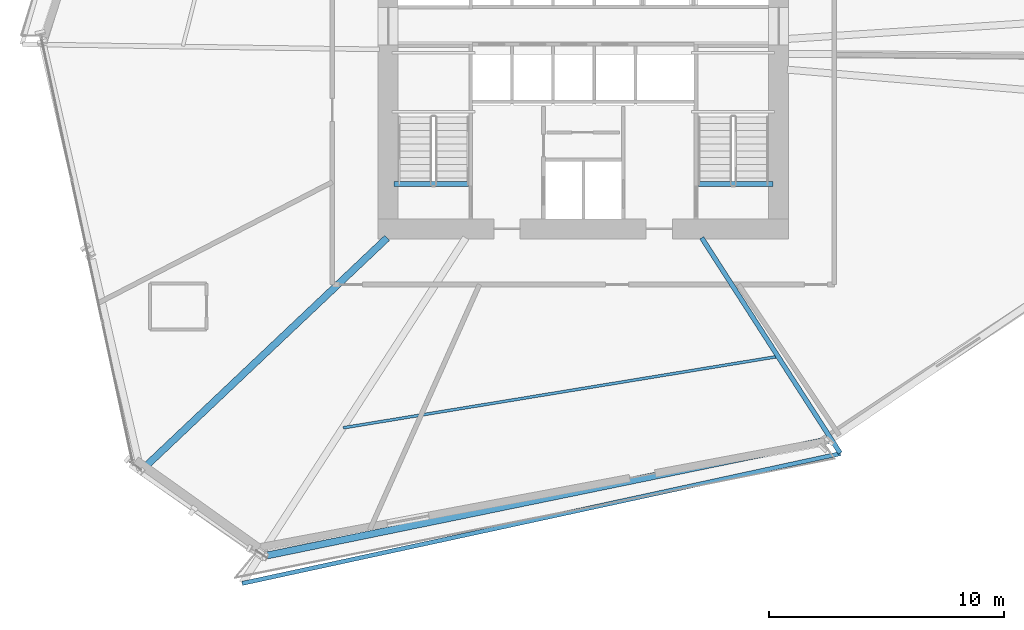
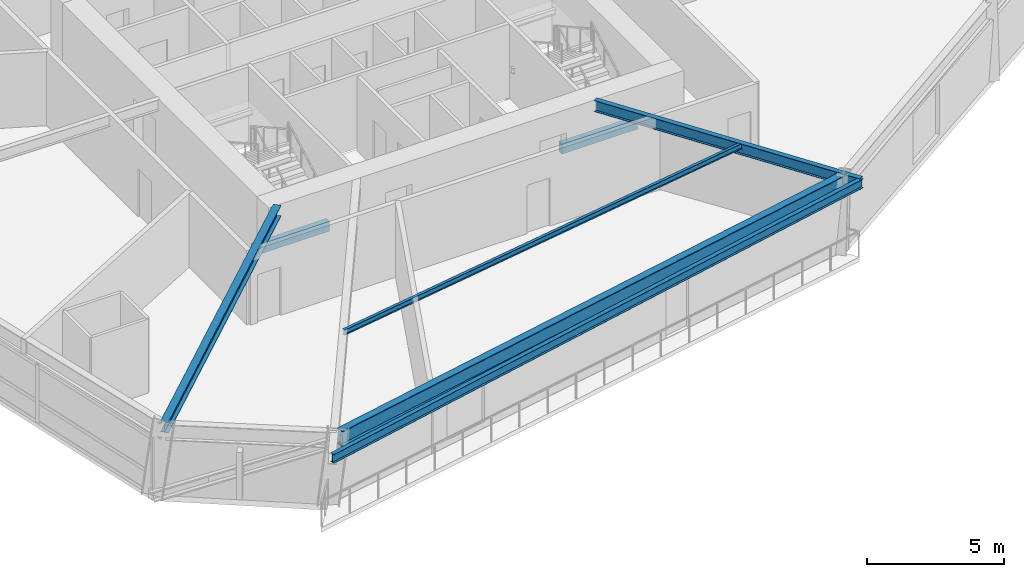
# One storey, part 5 of 24: 7 beams.
"""IFC4 building model written with IfcOpenShell, lengths in metres."""

from ifc_helpers import new_model, si_unit, direction, frame, origin, origin_2d, place, context, subcontext, project, spatial, rectangle, i_section, extrude, source, transform, mapped, material, material_profile, profile_set, type_object, element, save


model = new_model("IFC4")

# Units and contexts
model_context = context("Model", 3, precision=1e-05, world=origin(), true_north=direction((0.0, 1.0)))
body_context = subcontext(model_context, "Body", "Model", "MODEL_VIEW")
ifc_project = project(units=[si_unit("LENGTHUNIT", "METRE"), si_unit("AREAUNIT", "SQUARE_METRE"), si_unit("VOLUMEUNIT", "CUBIC_METRE"), si_unit("PLANEANGLEUNIT", "RADIAN"), si_unit("MASSUNIT", "GRAM", prefix="KILO")], contexts=[model_context])

# Site, building, storey
site_placement = place(None, origin())
site = spatial("IfcSite", under=ifc_project, at=site_placement, CompositionType="ELEMENT")
building_placement = place(site_placement, origin())
building = spatial("IfcBuilding", under=site, at=building_placement, Name="Olszyna Solenne Hotel", CompositionType="ELEMENT")
storey_placement = place(building_placement, frame((0.0, 0.0, 29.300048828125)))
storey = spatial("IfcBuildingStorey", under=building, at=storey_placement, Name="L06", CompositionType="ELEMENT", Elevation=29.300048828125)

# Beams
ifc_material_1 = material(Name="Steel S355J2", Category="steel")
ifc_material_profile_1 = material_profile(ifc_material_1, i_section(OverallWidth=0.300048828125, OverallDepth=0.699951171875, WebThickness=0.01708984375, FlangeThickness=0.031982421875, at=origin_2d()), Name="HEB 700", Category="load-bearing")
ifc_profile_set_1 = profile_set([ifc_material_profile_1], Name="Steel S355J2")
beam_type_1 = type_object("IfcBeamType", Name="BM-S1", PredefinedType="BEAM", material=ifc_profile_set_1)
shared_shape_1 = source(origin(), body_context, "Body", "SweptSolid", [
    extrude(i_section(OverallWidth=0.300048828125, OverallDepth=0.699951171875, WebThickness=0.01708984375, FlangeThickness=0.031982421875, at=origin_2d()), origin(), (0.0, 0.0, 1.0), 24.53857421875),
])
beam_1_placement = place(storey_placement, frame((24.444580078125, 5.1328125, 2.949951171875), z_axis=(0.979549184491, 0.201204858695, 0.0), x_axis=(-0.201204858695, 0.979549184491, 0.0)))
element("IfcBeam", 1, at=beam_1_placement, inside=storey, type_object=beam_type_1, Name="Perimeter spandrel beam BM-S1 B-L06-0210", PredefinedType="BEAM", context=body_context, shape_type="MappedRepresentation", body=[
    mapped(shared_shape_1, transform((0.0, 0.0, 0.0), x_axis=(1.0, 0.0, 0.0), y_axis=(0.0, 1.0, 0.0), z_axis=(0.0, 0.0, 1.0), scale=1.0)),
])
ifc_material_profile_2 = material_profile(ifc_material_1, i_section(OverallWidth=0.300048828125, OverallDepth=0.489990234375, WebThickness=0.011962890625, FlangeThickness=0.02294921875, at=origin_2d()), Name="HEA 500", Category="load-bearing")
ifc_profile_set_2 = profile_set([ifc_material_profile_2], Name="Steel S355J2")
beam_type_2 = type_object("IfcBeamType", Name="BM-G1", PredefinedType="BEAM", material=ifc_profile_set_2)
shared_shape_2 = source(origin(), body_context, "Body", "SweptSolid", [
    extrude(i_section(OverallWidth=0.300048828125, OverallDepth=0.489990234375, WebThickness=0.011962890625, FlangeThickness=0.02294921875, at=origin_2d()), origin(), (0.0, 0.0, 1.0), 14.399169921875),
])
beam_2_placement = place(storey_placement, frame((19.17138671875, 8.789306640625, 3.054931640625), z_axis=(0.726476423857, 0.687191389337, 0.0), x_axis=(-0.687191389337, 0.726476423857, 0.0)))
element("IfcBeam", 2, at=beam_2_placement, inside=storey, type_object=beam_type_2, Name="Radial floor girder BM-G1 B-L06-0219", PredefinedType="BEAM", context=body_context, shape_type="MappedRepresentation", body=[
    mapped(shared_shape_2, transform((0.0, 0.0, 0.0), x_axis=(1.0, 0.0, 0.0), y_axis=(0.0, 1.0, 0.0), z_axis=(0.0, 0.0, 1.0), scale=1.0)),
])
ifc_material_profile_3 = material_profile(ifc_material_1, i_section(OverallWidth=0.199951171875, OverallDepth=0.5, WebThickness=0.01025390625, FlangeThickness=0.01611328125, at=origin_2d()), Name="IPE 500", Category="load-bearing")
ifc_profile_set_3 = profile_set([ifc_material_profile_3], Name="Steel S355J2")
beam_type_3 = type_object("IfcBeamType", Name="BM-F3", PredefinedType="BEAM", material=ifc_profile_set_3)
shared_shape_3 = source(origin(), body_context, "Body", "SweptSolid", [
    extrude(i_section(OverallWidth=0.199951171875, OverallDepth=0.5, WebThickness=0.01025390625, FlangeThickness=0.01611328125, at=origin_2d()), origin(), (0.0, 0.0, 1.0), 10.91845703125),
])
beam_3_placement = place(storey_placement, frame((48.952392578125, 9.50927734375, 3.050048828125), z_axis=(-0.540966648963, 0.841044044453, 0.0), x_axis=(-0.841044044453, -0.540966648963, 0.0)))
element("IfcBeam", 3, at=beam_3_placement, inside=storey, type_object=beam_type_3, Name="Radial floor girder BM-F3 B-L06-0221", PredefinedType="BEAM", context=body_context, shape_type="MappedRepresentation", body=[
    mapped(shared_shape_3, transform((0.0, 0.0, 0.0), x_axis=(1.0, 0.0, 0.0), y_axis=(0.0, 1.0, 0.0), z_axis=(0.0, 0.0, 1.0), scale=1.0)),
])
ifc_material_profile_4 = material_profile(ifc_material_1, i_section(OverallWidth=0.1201171875, OverallDepth=0.239990234375, WebThickness=0.006103515625, FlangeThickness=0.009765625, at=origin_2d()), Name="IPE 240", Category="load-bearing")
ifc_profile_set_4 = profile_set([ifc_material_profile_4], Name="Steel S355J2")
beam_type_4 = type_object("IfcBeamType", Name="JS-03", PredefinedType="JOIST", material=ifc_profile_set_4)
shared_shape_4 = source(origin(), body_context, "Body", "SweptSolid", [
    extrude(i_section(OverallWidth=0.1201171875, OverallDepth=0.239990234375, WebThickness=0.006103515625, FlangeThickness=0.009765625, at=origin_2d()), origin(), (0.0, 0.0, 1.0), 18.765869140625),
])
beam_4_placement = place(storey_placement, frame((27.762451171875, 10.590576171875, 3.179931640625), z_axis=(0.986803957059, 0.161919579828, 0.0), x_axis=(-0.161919579828, 0.986803957059, 0.0)))
element("IfcBeam", 4, at=beam_4_placement, inside=storey, type_object=beam_type_4, Name="Secondary composite floor joist JS-03 B-L06-0227", PredefinedType="JOIST", context=body_context, shape_type="MappedRepresentation", body=[
    mapped(shared_shape_4, transform((0.0, 0.0, 0.0), x_axis=(1.0, 0.0, 0.0), y_axis=(0.0, 1.0, 0.0), z_axis=(0.0, 0.0, 1.0), scale=1.0)),
])
ifc_material_profile_5 = material_profile(ifc_material_1, i_section(OverallWidth=0.179931640625, OverallDepth=0.39990234375, WebThickness=0.008544921875, FlangeThickness=0.013427734375, at=origin_2d()), Name="IPE 400", Category="load-bearing")
ifc_profile_set_5 = profile_set([ifc_material_profile_5], Name="Steel S355J2")
beam_type_5 = type_object("IfcBeamType", Name="BM-F5", PredefinedType="BEAM", material=ifc_profile_set_5)
shared_shape_5 = source(origin(), body_context, "Body", "SweptSolid", [
    extrude(i_section(OverallWidth=0.179931640625, OverallDepth=0.39990234375, WebThickness=0.008544921875, FlangeThickness=0.013427734375, at=origin_2d()), origin(), (0.0, 0.0, 1.0), 26.105712890625),
])
beam_5_placement = place(storey_placement, frame((23.451416015625, 3.9560546875, 3.099853515625), z_axis=(0.977253444849, 0.212074761657, 0.0), x_axis=(-0.212074761657, 0.977253444849, 0.0)))
element("IfcBeam", 5, at=beam_5_placement, inside=storey, type_object=beam_type_5, Name="Loggia outer edge beam BM-F5 B-L06-0230", PredefinedType="BEAM", context=body_context, shape_type="MappedRepresentation", body=[
    mapped(shared_shape_5, transform((0.0, 0.0, 0.0), x_axis=(1.0, 0.0, 0.0), y_axis=(0.0, 1.0, 0.0), z_axis=(0.0, 0.0, 1.0), scale=1.0)),
])
ifc_material_2 = material(Name="Concrete C50/60", Category="concrete")
ifc_material_profile_6 = material_profile(ifc_material_2, rectangle(XDim=0.219970703125, YDim=0.43994140625, at=origin_2d()), Name="RC 220x440", Category="load-bearing")
ifc_profile_set_6 = profile_set([ifc_material_profile_6], Name="Concrete C50/60")
beam_type_6 = type_object("IfcBeamType", Name="BM-ST1", PredefinedType="BEAM", material=ifc_profile_set_6)
shared_shape_6 = source(origin(), body_context, "Body", "SweptSolid", [
    extrude(rectangle(XDim=0.219970703125, YDim=0.43994140625, at=origin_2d()), origin(), (0.0, 0.0, 1.0), 3.18017578125),
])
for number, where, z_axis, x_axis, name in (
    (6, (33.10009765625, 20.97998046875, -0.205078125), (-1.0, 0.0, 0.0), (0.0, -1.0, 0.0), "Concrete stair trimmer beam BM-ST1 SHB-ST1-0168"),
    (7, (46.080078125, 20.97998046875, -0.205078125), (-1.0, 0.0, 0.0), (0.0, -1.0, 0.0), "Concrete stair trimmer beam BM-ST1 SHB-ST2-0408"),
):
    element("IfcBeam", number, at=place(storey_placement, frame(where, z_axis=z_axis, x_axis=x_axis)), inside=storey, type_object=beam_type_6, Name=name, PredefinedType="BEAM", context=body_context, shape_type="MappedRepresentation", body=[
        mapped(shared_shape_6, transform((0.0, 0.0, 0.0), x_axis=(1.0, 0.0, 0.0), y_axis=(0.0, 1.0, 0.0), z_axis=(0.0, 0.0, 1.0), scale=1.0)),
    ])

save(model, "model.ifc")
